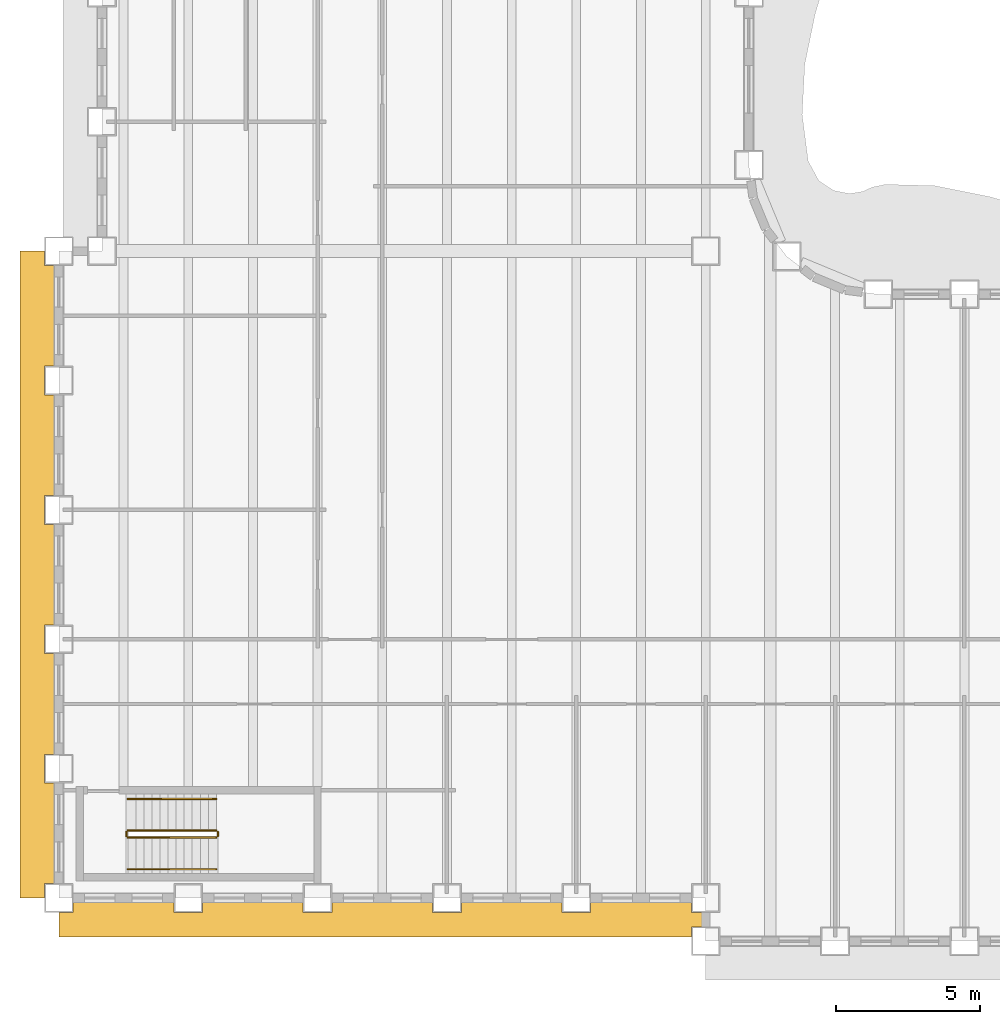
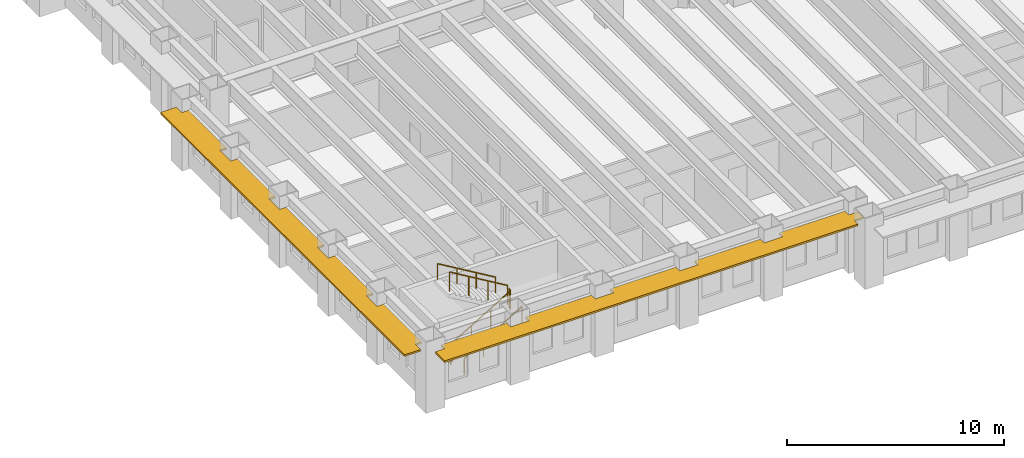
# One storey, part 11 of 16: 6 railings, 2 shading devices.
"""IFC4 building model written with IfcOpenShell, lengths in metres."""

from ifc_helpers import new_model, si_unit, direction, frame, origin, origin_2d, place, context, subcontext, project, spatial, polyline, rectangle, outline, extrude, material, layer, layer_set, type_object, element, save


model = new_model("IFC4")

# Units and contexts
model_context = context("Model", 3, precision=1e-05, world=origin(), true_north=direction((0.0, 1.0)))
body_context = subcontext(model_context, "Body", "Model", "MODEL_VIEW")
ifc_project = project(units=[si_unit("LENGTHUNIT", "METRE"), si_unit("AREAUNIT", "SQUARE_METRE"), si_unit("VOLUMEUNIT", "CUBIC_METRE"), si_unit("PLANEANGLEUNIT", "RADIAN"), si_unit("MASSUNIT", "GRAM", prefix="KILO")], contexts=[model_context])

# Site, building, storey
site_placement = place(None, origin())
site = spatial("IfcSite", under=ifc_project, at=site_placement, CompositionType="ELEMENT")
building_placement = place(site_placement, origin())
building = spatial("IfcBuilding", under=site, at=building_placement, Name="Sennacour Bend Tower", CompositionType="ELEMENT")
storey_placement = place(building_placement, frame((0.0, 0.0, 111.0)))
storey = spatial("IfcBuildingStorey", under=building, at=storey_placement, Name="L25", CompositionType="ELEMENT", Elevation=111.0)

# Railings
ifc_material_1 = material(Name="Stainless steel", Category="steel")
railing_type_1 = type_object("IfcRailingType", Name="RL-GUARD-1100", PredefinedType="GUARDRAIL", material=ifc_material_1)
railing_1_placement = place(storey_placement, frame((2.39990234375, 2.10009765625, 0.166748046875)))
element("IfcRailing", 1, at=railing_1_placement, inside=storey, type_object=railing_type_1, Name="L25 SK1 stair guard 1", PredefinedType="GUARDRAIL", context=body_context, shape_type="SweptSolid", body=[
    extrude(rectangle(XDim=0.048095703125, YDim=0.048095703125, at=origin_2d()), frame((0.0, 0.0, 1.076171875), z_axis=(0.859308565015, 0.0, 0.511457515432), x_axis=(0.0, 1.0, 0.0)), (0.0, 0.0, 1.0), 3.58447265625),
    extrude(rectangle(XDim=0.0419921875, YDim=0.0419921875, at=origin_2d()), origin(), (0.0, 0.0, 1.0), 1.052001953125),
    extrude(rectangle(XDim=0.0419921875, YDim=0.0419921875, at=origin_2d()), frame((1.026611328125, 0.0, 0.611083984375)), (0.0, 0.0, 1.0), 1.052001953125),
    extrude(rectangle(XDim=0.0419921875, YDim=0.0419921875, at=origin_2d()), frame((2.053466796875, 0.0, 1.22216796875)), (0.0, 0.0, 1.0), 1.052001953125),
    extrude(rectangle(XDim=0.0419921875, YDim=0.0419921875, at=origin_2d()), frame((3.080078125, 0.0, 1.833251953125)), (0.0, 0.0, 1.0), 1.052001953125),
])
railing_2_placement = place(storey_placement, frame((5.530029296875, 2.14990234375, 2.0)))
element("IfcRailing", 2, at=railing_2_placement, inside=storey, type_object=railing_type_1, Name="L25 SK1 stair guard 2", PredefinedType="GUARDRAIL", context=body_context, shape_type="SweptSolid", body=[
    extrude(rectangle(XDim=0.048095703125, YDim=0.048095703125, at=origin_2d()), frame((0.0, 0.0, 1.076171875), z_axis=(0.0, 1.0, 0.0), x_axis=(-1.0, 0.0, 0.0)), (0.0, 0.0, 1.0), 0.150146484375),
    extrude(rectangle(XDim=0.0419921875, YDim=0.0419921875, at=origin_2d()), origin(), (0.0, 0.0, 1.0), 1.052001953125),
    extrude(rectangle(XDim=0.0419921875, YDim=0.0419921875, at=origin_2d()), frame((0.0, 0.150146484375, 0.0)), (0.0, 0.0, 1.0), 1.052001953125),
])
railing_3_placement = place(storey_placement, frame((5.47998046875, 2.35009765625, 2.166748046875)))
element("IfcRailing", 3, at=railing_3_placement, inside=storey, type_object=railing_type_1, Name="L25 SK1 stair guard 3", PredefinedType="GUARDRAIL", context=body_context, shape_type="SweptSolid", body=[
    extrude(rectangle(XDim=0.048095703125, YDim=0.048095703125, at=origin_2d()), frame((0.0, 0.0, 1.076171875), z_axis=(-0.859308565015, 0.0, 0.511457515432), x_axis=(0.0, -1.0, 0.0)), (0.0, 0.0, 1.0), 3.58447265625),
    extrude(rectangle(XDim=0.0419921875, YDim=0.0419921875, at=origin_2d()), origin(), (0.0, 0.0, 1.0), 1.052001953125),
    extrude(rectangle(XDim=0.0419921875, YDim=0.0419921875, at=origin_2d()), frame((-1.026611328125, 0.0, 0.611083984375)), (0.0, 0.0, 1.0), 1.052001953125),
    extrude(rectangle(XDim=0.0419921875, YDim=0.0419921875, at=origin_2d()), frame((-2.053466796875, 0.0, 1.22216796875)), (0.0, 0.0, 1.0), 1.052001953125),
    extrude(rectangle(XDim=0.0419921875, YDim=0.0419921875, at=origin_2d()), frame((-3.080078125, 0.0, 1.833251953125)), (0.0, 0.0, 1.0), 1.052001953125),
])
railing_4_placement = place(storey_placement, frame((2.35009765625, 2.14990234375, 0.0)))
element("IfcRailing", 4, at=railing_4_placement, inside=storey, type_object=railing_type_1, Name="L25 SK1 stair guard 4", PredefinedType="GUARDRAIL", context=body_context, shape_type="SweptSolid", body=[
    extrude(rectangle(XDim=0.048095703125, YDim=0.048095703125, at=origin_2d()), frame((0.0, 0.0, 1.076171875), z_axis=(0.0, 1.0, 0.0), x_axis=(-1.0, 0.0, 0.0)), (0.0, 0.0, 1.0), 0.150146484375),
    extrude(rectangle(XDim=0.0419921875, YDim=0.0419921875, at=origin_2d()), origin(), (0.0, 0.0, 1.0), 1.052001953125),
    extrude(rectangle(XDim=0.0419921875, YDim=0.0419921875, at=origin_2d()), frame((0.0, 0.150146484375, 0.0)), (0.0, 0.0, 1.0), 1.052001953125),
])
railing_type_2 = type_object("IfcRailingType", Name="RL-HANDRAIL-900", PredefinedType="HANDRAIL", material=ifc_material_1)
railing_5_placement = place(storey_placement, frame((2.39990234375, 1.0, 0.166748046875)))
element("IfcRailing", 5, at=railing_5_placement, inside=storey, type_object=railing_type_2, Name="L25 SK1 stair handrail 1", PredefinedType="HANDRAIL", context=body_context, shape_type="SweptSolid", body=[
    extrude(rectangle(XDim=0.048095703125, YDim=0.048095703125, at=origin_2d()), frame((0.0, 0.0, 0.8759765625), z_axis=(0.859308565015, 0.0, 0.511457515432), x_axis=(0.0, 1.0, 0.0)), (0.0, 0.0, 1.0), 3.58447265625),
    extrude(rectangle(XDim=0.0419921875, YDim=0.0419921875, at=origin_2d()), origin(), (0.0, 0.0, 1.0), 0.851806640625),
    extrude(rectangle(XDim=0.0419921875, YDim=0.0419921875, at=origin_2d()), frame((1.026611328125, 0.0, 0.611083984375)), (0.0, 0.0, 1.0), 0.851806640625),
    extrude(rectangle(XDim=0.0419921875, YDim=0.0419921875, at=origin_2d()), frame((2.053466796875, 0.0, 1.22216796875)), (0.0, 0.0, 1.0), 0.851806640625),
    extrude(rectangle(XDim=0.0419921875, YDim=0.0419921875, at=origin_2d()), frame((3.080078125, 0.0, 1.833251953125)), (0.0, 0.0, 1.0), 0.851806640625),
])
railing_6_placement = place(storey_placement, frame((5.47998046875, 3.449951171875, 2.166748046875)))
element("IfcRailing", 6, at=railing_6_placement, inside=storey, type_object=railing_type_2, Name="L25 SK1 stair handrail 2", PredefinedType="HANDRAIL", context=body_context, shape_type="SweptSolid", body=[
    extrude(rectangle(XDim=0.048095703125, YDim=0.048095703125, at=origin_2d()), frame((0.0, 0.0, 0.8759765625), z_axis=(-0.859308565015, 0.0, 0.511457515432), x_axis=(0.0, -1.0, 0.0)), (0.0, 0.0, 1.0), 3.58447265625),
    extrude(rectangle(XDim=0.0419921875, YDim=0.0419921875, at=origin_2d()), origin(), (0.0, 0.0, 1.0), 0.851806640625),
    extrude(rectangle(XDim=0.0419921875, YDim=0.0419921875, at=origin_2d()), frame((-1.026611328125, 0.0, 0.611083984375)), (0.0, 0.0, 1.0), 0.851806640625),
    extrude(rectangle(XDim=0.0419921875, YDim=0.0419921875, at=origin_2d()), frame((-2.053466796875, 0.0, 1.22216796875)), (0.0, 0.0, 1.0), 0.851806640625),
    extrude(rectangle(XDim=0.0419921875, YDim=0.0419921875, at=origin_2d()), frame((-3.080078125, 0.0, 1.833251953125)), (0.0, 0.0, 1.0), 0.851806640625),
])

# Shading devices
ifc_material_2 = material(Name="Bronze anodised aluminium", Category="aluminium")
ifc_layer = layer(ifc_material_2, 0.10009765625, Name="Bronze anodised aluminium", Category="aluminium")
ifc_layer_set = layer_set([ifc_layer], Name="Bronze anodised aluminium")
shading_device_type = type_object("IfcShadingDeviceType", Name="SUNSHADE BAND STRAIGHT", PredefinedType="USERDEFINED", material=ifc_layer_set)
shading_device_1_placement = place(storey_placement, frame((0.0, 0.0, 3.053955078125)))
element("IfcShadingDevice", 7, at=shading_device_1_placement, inside=storey, type_object=shading_device_type, Name="Sunshade band L25 K outer face", ObjectType="SUNSHADE", PredefinedType="USERDEFINED", context=body_context, shape_type="SweptSolid", body=[
    extrude(outline(polyline([(-0.14990234375, 18.5), (-0.5, 18.5), (-0.5, 17.5), (-0.14990234375, 17.5), (-0.14990234375, 14.0), (-0.5, 14.0), (-0.5, 13.0), (-0.14990234375, 13.0), (-0.14990234375, 9.5), (-0.5, 9.5), (-0.5, 8.5), (-0.14990234375, 8.5), (-0.14990234375, 5.0), (-0.5, 5.0), (-0.5, 4.0), (-0.14990234375, 4.0), (-0.14990234375, 0.5), (-0.5, 0.5), (-0.5, 0.0), (-1.35009765625, 0.0), (-1.35009765625, 22.5), (-0.5, 22.5), (-0.5, 22.0), (-0.14990234375, 22.0), (-0.14990234375, 18.5)])), origin(), (0.0, 0.0, 1.0), 0.10009765625),
])
shading_device_2_placement = place(storey_placement, frame((0.0, 0.0, 3.053955078125)))
element("IfcShadingDevice", 8, at=shading_device_2_placement, inside=storey, type_object=shading_device_type, Name="Sunshade band L25 K outer face", ObjectType="SUNSHADE", PredefinedType="USERDEFINED", context=body_context, shape_type="SweptSolid", body=[
    extrude(outline(polyline([(4.0, -0.14990234375), (4.0, -0.5), (5.0, -0.5), (5.0, -0.14990234375), (8.5, -0.14990234375), (8.5, -0.5), (9.5, -0.5), (9.5, -0.14990234375), (13.0, -0.14990234375), (13.0, -0.5), (14.0, -0.5), (14.0, -0.14990234375), (17.5, -0.14990234375), (17.5, -0.5), (18.5, -0.5), (18.5, -0.14990234375), (22.0, -0.14990234375), (22.0, -0.5), (22.5, -0.5), (22.5, -1.0), (22.0, -1.0), (22.0, -1.35009765625), (0.0, -1.35009765625), (0.0, -0.5), (0.5, -0.5), (0.5, -0.14990234375), (4.0, -0.14990234375)])), origin(), (0.0, 0.0, 1.0), 0.10009765625),
])

save(model, "model.ifc")
